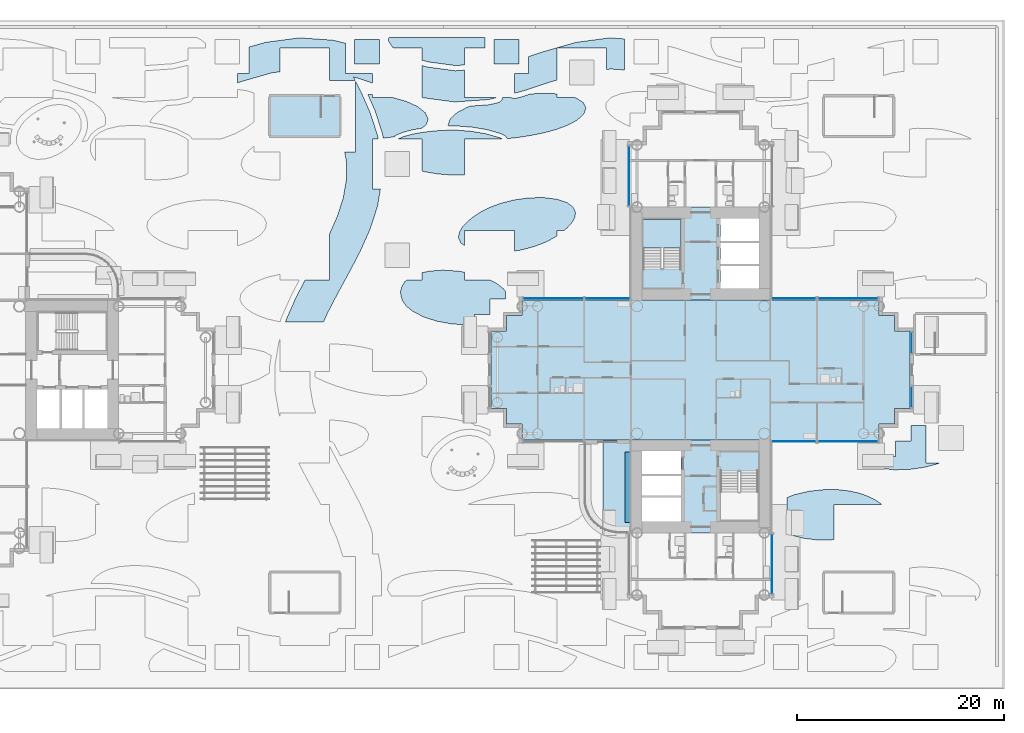
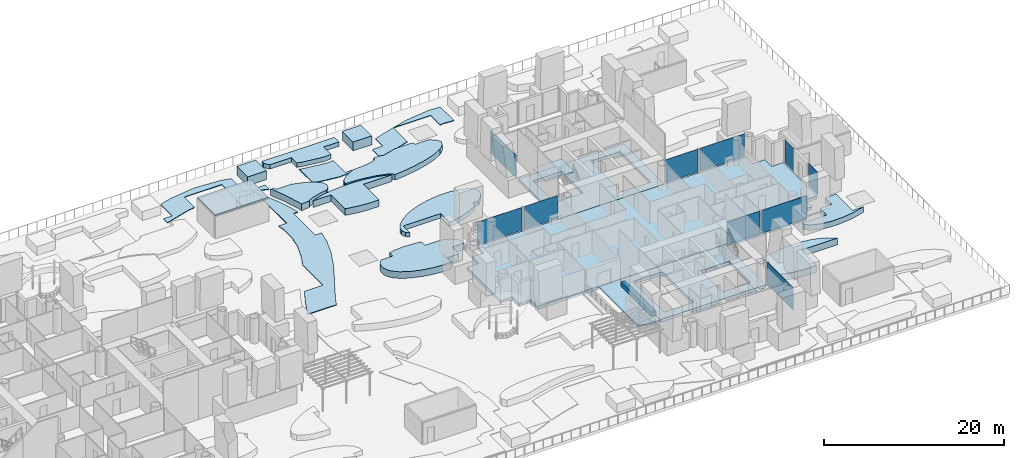
# One storey, part 21 of 40: 21 slabs, 10 plates, 11 elements without a shape of their own.
"""IFC4 building model written with IfcOpenShell, lengths in metres."""

from ifc_helpers import new_model, si_unit, direction, frame, origin, origin_2d, place, context, subcontext, project, spatial, polyline, rectangle, outline, extrude, material, layer, layer_set, type_object, element, aggregate, save


model = new_model("IFC4")

# Units and contexts
model_context = context("Model", 3, precision=1e-05, world=origin(), true_north=direction((0.0, 1.0)))
body_context = subcontext(model_context, "Body", "Model", "MODEL_VIEW")
ifc_project = project(units=[si_unit("LENGTHUNIT", "METRE"), si_unit("AREAUNIT", "SQUARE_METRE"), si_unit("VOLUMEUNIT", "CUBIC_METRE"), si_unit("PLANEANGLEUNIT", "RADIAN"), si_unit("MASSUNIT", "GRAM", prefix="KILO")], contexts=[model_context])

# Site, building, storey
site_placement = place(None, origin())
site = spatial("IfcSite", under=ifc_project, at=site_placement, CompositionType="ELEMENT")
building_placement = place(site_placement, origin())
building = spatial("IfcBuilding", under=site, at=building_placement, Name="Ipe Terrace Towers", CompositionType="ELEMENT")
storey_placement = place(building_placement, frame((0.0, 0.0, 24.5)))
storey = spatial("IfcBuildingStorey", under=building, at=storey_placement, Name="L05", CompositionType="ELEMENT", Elevation=24.5)

# Slabs
ifc_material_1 = material(Name="Concrete C30/37", Category="concrete")
ifc_layer_1 = layer(ifc_material_1, 0.199951171875)
ifc_layer_set_1 = layer_set([ifc_layer_1], Name="BALCONY SLAB 200")
slab_type_1 = type_object("IfcSlabType", Name="BALCONY SLAB 200", PredefinedType="FLOOR", material=ifc_layer_set_1)
slab_1_placement = place(storey_placement, frame((0.0, 0.0, -0.219970703125)))
element("IfcSlab", 1, at=slab_1_placement, inside=storey, type_object=slab_type_1, Name="balcony slab", PredefinedType="FLOOR", context=body_context, shape_type="SweptSolid", body=[
    extrude(outline(polyline([(26.787109375, -15.4990234375), (27.196044921875, -15.637939453125), (27.618896484375, -15.721923828125), (28.050048828125, -15.75), (29.25, -15.75), (29.25, -6.75), (26.550048828125, -6.75), (26.550048828125, -15.382080078125), (26.787109375, -15.4990234375)])), origin(), (0.0, 0.0, 1.0), 0.199951171875),
])
ifc_material_2 = material(Name="Concrete C30/37", Category="concrete")
ifc_layer_2 = layer(ifc_material_2, 0.39990234375)
ifc_layer_set_2 = layer_set([ifc_layer_2], Name="CORE FLOOR SLAB 400 C30-37")
slab_type_2 = type_object("IfcSlabType", Name="CORE FLOOR SLAB 400 C30-37", PredefinedType="FLOOR", material=ifc_layer_set_2)
slab_2_placement = place(storey_placement, frame((0.0, 0.0, -0.39990234375)))
element("IfcSlab", 2, at=slab_2_placement, inside=storey, type_object=slab_type_2, Name="Core floor T2-C1", PredefinedType="FLOOR", context=body_context, shape_type="SweptSolid", body=[
    extrude(outline(polyline([(29.25, 6.75), (29.25, 15.75), (42.75, 15.75), (42.75, 6.75), (29.25, 6.75)]), holes=[polyline([(41.64990234375, 7.85009765625), (41.64990234375, 14.64990234375), (37.89990234375, 14.64990234375), (37.89990234375, 7.85009765625), (41.64990234375, 7.85009765625)]), polyline([(30.449951171875, 9.800048828125), (34.10009765625, 9.800048828125), (34.10009765625, 14.550048828125), (30.449951171875, 14.550048828125), (30.449951171875, 9.800048828125)])]), origin(), (0.0, 0.0, 1.0), 0.39990234375),
])
slab_3_placement = place(storey_placement, frame((0.0, 0.0, -0.39990234375)))
element("IfcSlab", 3, at=slab_3_placement, inside=storey, type_object=slab_type_2, Name="Core floor T2-C2", PredefinedType="FLOOR", context=body_context, shape_type="SweptSolid", body=[
    extrude(outline(polyline([(29.25, -15.75), (29.25, -6.75), (42.75, -6.75), (42.75, -15.75), (29.25, -15.75)]), holes=[polyline([(34.10009765625, -14.64990234375), (34.10009765625, -7.85009765625), (30.35009765625, -7.85009765625), (30.35009765625, -14.64990234375), (34.10009765625, -14.64990234375)]), polyline([(41.550048828125, -9.800048828125), (37.89990234375, -9.800048828125), (37.89990234375, -14.550048828125), (41.550048828125, -14.550048828125), (41.550048828125, -9.800048828125)])]), origin(), (0.0, 0.0, 1.0), 0.39990234375),
])
ifc_material_3 = material(Name="Concrete C30/37", Category="concrete")
ifc_layer_3 = layer(ifc_material_3, 0.60009765625)
ifc_layer_set_3 = layer_set([ifc_layer_3], Name="CURVED GARDEN BED 600")
slab_type_3 = type_object("IfcSlabType", Name="CURVED GARDEN BED 600", PredefinedType="USERDEFINED", material=ifc_layer_set_3)
slab_4_placement = place(storey_placement, frame((0.0, 0.0, -0.02001953125)))
element("IfcSlab", 4, at=slab_4_placement, inside=storey, type_object=slab_type_3, Name="curved garden bed", ObjectType="PLANTER", PredefinedType="USERDEFINED", context=body_context, shape_type="SweptSolid", body=[
    extrude(outline(polyline([(12.677978515625, 13.31591796875), (12.97998046875, 13.81591796875), (13.41796875, 14.2919921875), (13.965087890625, 14.7548828125), (14.64990234375, 15.217041015625), (15.52392578125, 15.672119140625), (16.62890625, 16.092041015625), (17.951904296875, 16.429931640625), (19.408935546875, 16.632080078125), (20.860107421875, 16.656982421875), (22.138916015625, 16.493896484375), (23.10888671875, 16.1630859375), (23.698974609375, 15.714111328125), (23.9130859375, 15.2041015625), (23.822021484375, 14.68408203125), (23.52001953125, 14.18408203125), (23.08203125, 13.7080078125), (22.81103515625, 13.47900390625), (22.110107421875, 13.47900390625), (22.110107421875, 12.9580078125), (21.85009765625, 12.782958984375), (20.97607421875, 12.327880859375), (19.87109375, 11.907958984375), (18.548095703125, 11.570068359375), (17.989990234375, 11.492919921875), (17.989990234375, 13.47900390625), (13.18994140625, 13.47900390625), (13.18994140625, 11.989990234375), (12.801025390625, 12.285888671875), (12.5869140625, 12.7958984375), (12.677978515625, 13.31591796875)])), origin(), (0.0, 0.0, 1.0), 0.60009765625),
])
slab_5_placement = place(storey_placement, frame((0.0, 0.0, -0.02001953125)))
element("IfcSlab", 5, at=slab_5_placement, inside=storey, type_object=slab_type_3, Name="curved garden bed", ObjectType="PLANTER", PredefinedType="USERDEFINED", context=body_context, shape_type="SweptSolid", body=[
    extrude(outline(polyline([(15.14990234375, 31.135986328125), (13.18994140625, 31.135986328125), (13.18994140625, 29.47607421875), (13.156005859375, 29.47607421875), (12.31494140625, 29.41796875), (9.659912109375, 29.77392578125), (9.20703125, 29.903076171875), (9.159912109375, 29.9140625), (9.112060546875, 29.9208984375), (9.070068359375, 29.922119140625), (9.070068359375, 31.135986328125), (6.298095703125, 31.135986328125), (6.200927734375, 31.2109375), (5.85009765625, 31.757080078125), (5.85009765625, 32.0380859375), (5.85888671875, 32.14990234375), (15.14990234375, 32.14990234375), (15.14990234375, 31.135986328125)])), origin(), (0.0, 0.0, 1.0), 0.60009765625),
])
ifc_material_4 = material(Name="Concrete C30/37", Category="concrete")
ifc_layer_4 = layer(ifc_material_4, 0.75)
ifc_layer_set_4 = layer_set([ifc_layer_4], Name="CURVED GARDEN BED 750")
slab_type_4 = type_object("IfcSlabType", Name="CURVED GARDEN BED 750", PredefinedType="USERDEFINED", material=ifc_layer_set_4)
slab_6_placement = place(storey_placement, frame((0.0, 0.0, -0.02001953125)))
element("IfcSlab", 6, at=slab_6_placement, inside=storey, type_object=slab_type_4, Name="curved garden bed", ObjectType="PLANTER", PredefinedType="USERDEFINED", context=body_context, shape_type="SweptSolid", body=[
    extrude(outline(polyline([(56.091064453125, -9.632080078125), (54.639892578125, -9.656982421875), (53.361083984375, -9.493896484375), (52.39111328125, -9.1630859375), (51.801025390625, -8.714111328125), (51.64892578125, -8.35009765625), (54.85009765625, -8.35009765625), (54.85009765625, -6.85009765625), (56.35009765625, -6.85009765625), (56.35009765625, -5.35009765625), (57.7900390625, -5.35009765625), (57.7900390625, -8.97900390625), (59.1689453125, -8.97900390625), (58.87109375, -9.092041015625), (57.548095703125, -9.429931640625), (56.091064453125, -9.632080078125)])), origin(), (0.0, 0.0, 1.0), 0.75),
])
slab_7_placement = place(storey_placement, frame((0.0, 0.0, -0.02001953125)))
element("IfcSlab", 7, at=slab_7_placement, inside=storey, type_object=slab_type_4, Name="curved garden bed", ObjectType="PLANTER", PredefinedType="USERDEFINED", context=body_context, shape_type="SweptSolid", body=[
    extrude(outline(polyline([(24.9130859375, 25.318115234375), (24.705078125, 24.72509765625), (24.072998046875, 24.14794921875), (23.131103515625, 23.638916015625), (22.014892578125, 23.22802734375), (20.840087890625, 22.912109375), (19.666015625, 22.673095703125), (18.4970703125, 22.489013671875), (17.302978515625, 22.35009765625), (17.27392578125, 22.34912109375), (17.27099609375, 22.375), (17.262939453125, 22.4130859375), (17.25, 22.449951171875), (17.235107421875, 22.485107421875), (17.216064453125, 22.51904296875), (17.194091796875, 22.551025390625), (17.1689453125, 22.580078125), (17.14111328125, 22.60693359375), (17.111083984375, 22.631103515625), (17.0791015625, 22.652099609375), (17.0439453125, 22.669921875), (16.722900390625, 22.818115234375), (16.695068359375, 22.830078125), (16.666015625, 22.840087890625), (15.34912109375, 23.217041015625), (15.304931640625, 23.22705078125), (13.91796875, 23.4609375), (13.882080078125, 23.466064453125), (12.5458984375, 23.56689453125), (12.51611328125, 23.568115234375), (11.64306640625, 23.56689453125), (11.5869140625, 23.681884765625), (11.794921875, 24.27490234375), (12.427001953125, 24.85205078125), (13.368896484375, 25.361083984375), (13.76904296875, 25.508056640625), (15.386962890625, 25.618896484375), (15.407958984375, 25.62109375), (15.535888671875, 25.635009765625), (15.5791015625, 25.64208984375), (15.705078125, 25.6669921875), (15.72607421875, 25.672119140625), (16.452880859375, 25.85009765625), (16.4990234375, 25.864013671875), (16.5439453125, 25.882080078125), (16.5869140625, 25.904052734375), (16.626953125, 25.930908203125), (16.6650390625, 25.9609375), (16.699951171875, 25.9951171875), (16.73095703125, 26.031005859375), (16.758056640625, 26.071044921875), (16.781982421875, 26.113037109375), (16.801025390625, 26.157958984375), (16.81591796875, 26.2041015625), (16.826904296875, 26.2509765625), (16.83203125, 26.299072265625), (16.8330078125, 26.326904296875), (16.833984375, 26.326904296875), (16.885986328125, 26.3359375), (17.698974609375, 26.3359375), (17.721923828125, 26.319091796875), (17.76611328125, 26.2939453125), (17.81201171875, 26.27392578125), (17.860107421875, 26.258056640625), (17.908935546875, 26.248046875), (17.958984375, 26.241943359375), (18.009033203125, 26.241943359375), (18.06005859375, 26.24609375), (18.10888671875, 26.256103515625), (18.72607421875, 26.406982421875), (18.743896484375, 26.412109375), (18.85498046875, 26.443115234375), (18.873046875, 26.448974609375), (19.554931640625, 26.672119140625), (20.43798828125, 26.72900390625), (21.70703125, 26.717041015625), (22.110107421875, 26.672119140625), (22.110107421875, 26.3359375), (23.7958984375, 26.3359375), (23.949951171875, 26.29296875), (24.64990234375, 25.860107421875), (24.9130859375, 25.318115234375)])), origin(), (0.0, 0.0, 1.0), 0.75),
])
ifc_material_5 = material(Name="Concrete C30/37", Category="concrete")
ifc_layer_5 = layer(ifc_material_5, 0.89990234375)
ifc_layer_set_5 = layer_set([ifc_layer_5], Name="CURVED GARDEN BED 900")
slab_type_5 = type_object("IfcSlabType", Name="CURVED GARDEN BED 900", PredefinedType="USERDEFINED", material=ifc_layer_set_5)
slab_8_placement = place(storey_placement, frame((0.0, 0.0, -0.02001953125)))
element("IfcSlab", 8, at=slab_8_placement, inside=storey, type_object=slab_type_5, Name="curved garden bed", ObjectType="PLANTER", PredefinedType="USERDEFINED", context=body_context, shape_type="SweptSolid", body=[
    extrude(outline(polyline([(47.950927734375, -11.568115234375), (49.318115234375, -11.575927734375), (50.492919921875, -11.716064453125), (51.451904296875, -11.947021484375), (52.22607421875, -12.22998046875), (52.867919921875, -12.548095703125), (53.405029296875, -12.904052734375), (53.507080078125, -13.007080078125), (48.8701171875, -13.007080078125), (48.8701171875, -16.39697265625), (48.549072265625, -16.431884765625), (47.181884765625, -16.424072265625), (46.007080078125, -16.283935546875), (45.048095703125, -16.052978515625), (44.35009765625, -15.798095703125), (44.35009765625, -12.3359375), (45.074951171875, -12.052978515625), (46.488037109375, -11.72607421875), (47.950927734375, -11.568115234375)])), origin(), (0.0, 0.0, 1.0), 0.89990234375),
])
slab_9_placement = place(storey_placement, frame((0.0, 0.0, -0.02001953125)))
element("IfcSlab", 9, at=slab_9_placement, inside=storey, type_object=slab_type_5, Name="curved garden bed", ObjectType="PLANTER", PredefinedType="USERDEFINED", context=body_context, shape_type="SweptSolid", body=[
    extrude(outline(polyline([(17.14990234375, 7.555908203125), (17.14990234375, 6.85009765625), (15.64990234375, 6.85009765625), (15.64990234375, 5.35009765625), (14.14990234375, 5.35009765625), (14.14990234375, 4.406005859375), (13.4150390625, 4.35400390625), (11.93603515625, 4.443115234375), (10.47802734375, 4.714111328125), (9.199951171875, 5.1298828125), (8.2109375, 5.635009765625), (7.5458984375, 6.1708984375), (7.1708984375, 6.693115234375), (7.014892578125, 7.18310546875), (7.009033203125, 7.64306640625), (7.12890625, 8.089111328125), (7.40087890625, 8.52490234375), (7.5810546875, 8.677978515625), (9.070068359375, 8.677978515625), (9.070068359375, 9.39404296875), (9.7451171875, 9.551025390625), (11.0849609375, 9.64599609375), (12.56396484375, 9.556884765625), (13.18994140625, 9.44091796875), (13.18994140625, 8.677978515625), (15.676025390625, 8.677978515625), (16.2890625, 8.364990234375), (16.9541015625, 7.8291015625), (17.14990234375, 7.555908203125)])), origin(), (0.0, 0.0, 1.0), 0.89990234375),
])
slab_10_placement = place(storey_placement, frame((0.0, 0.0, -0.02001953125)))
element("IfcSlab", 10, at=slab_10_placement, inside=storey, type_object=slab_type_5, Name="curved garden bed", ObjectType="PLANTER", PredefinedType="USERDEFINED", context=body_context, shape_type="SweptSolid", body=[
    extrude(outline(polyline([(9.166015625, 22.97802734375), (10.18994140625, 23.096923828125), (11.2958984375, 23.1669921875), (12.51611328125, 23.16796875), (13.85107421875, 23.06689453125), (15.239013671875, 22.8330078125), (16.555908203125, 22.455078125), (16.876953125, 22.306884765625), (13.18994140625, 22.306884765625), (13.18994140625, 18.8330078125), (11.98388671875, 18.83203125), (10.64892578125, 18.93310546875), (9.260986328125, 19.1669921875), (9.070068359375, 19.221923828125), (9.070068359375, 22.306884765625), (6.716064453125, 22.306884765625), (7.2880859375, 22.56103515625), (8.194091796875, 22.805908203125), (9.166015625, 22.97802734375)])), origin(), (0.0, 0.0, 1.0), 0.89990234375),
])
slab_11_placement = place(storey_placement, frame((0.0, 0.0, -0.02001953125)))
element("IfcSlab", 11, at=slab_11_placement, inside=storey, type_object=slab_type_5, Name="curved garden bed", ObjectType="PLANTER", PredefinedType="USERDEFINED", context=body_context, shape_type="SweptSolid", body=[
    extrude(outline(polyline([(8.64794921875, 25.451904296875), (9.376953125, 24.8701171875), (9.662109375, 24.27587890625), (9.506103515625, 23.73193359375), (9.0849609375, 23.3701171875), (8.1240234375, 23.198974609375), (8.090087890625, 23.19189453125), (7.18310546875, 22.947021484375), (7.154052734375, 22.93798828125), (7.125, 22.926025390625), (6.553955078125, 22.673095703125), (6.51904296875, 22.655029296875), (6.486083984375, 22.634033203125), (6.455078125, 22.610107421875), (6.427001953125, 22.583984375), (6.402099609375, 22.553955078125), (6.385009765625, 22.531005859375), (6.333984375, 22.52197265625), (5.323974609375, 22.404052734375), (5.2880859375, 22.616943359375), (5.280029296875, 22.652099609375), (5.222900390625, 22.888916015625), (5.212890625, 22.924072265625), (4.569091796875, 24.924072265625), (4.56005859375, 24.948974609375), (4.49609375, 25.116943359375), (4.486083984375, 25.14111328125), (3.820068359375, 26.64501953125), (4.27001953125, 26.611083984375), (4.27001953125, 26.3359375), (6.22412109375, 26.3359375), (6.239013671875, 26.3330078125), (7.555908203125, 25.955078125), (8.64794921875, 25.451904296875)])), origin(), (0.0, 0.0, 1.0), 0.89990234375),
])

# Stair, slab
ifc_material_6 = material(Name="Concrete C30/37", Category="concrete")
stair_type = type_object("IfcStairType", Name="Protected exit stair", PredefinedType="HALF_TURN_STAIR", material=ifc_material_6)
stair_placement = place(storey_placement, origin())
stair = element("IfcStair", 12, at=stair_placement, inside=storey, type_object=stair_type, Name="L05 Exit stair T2-C1", PredefinedType="HALF_TURN_STAIR")
ifc_material_7 = material(Name="Concrete C30/37", Category="concrete")
ifc_layer_6 = layer(ifc_material_7, 0.199951171875)
ifc_layer_set_6 = layer_set([ifc_layer_6], Name="Exit stair landing 200")
slab_type_6 = type_object("IfcSlabType", Name="Exit stair landing 200", PredefinedType="LANDING", material=ifc_layer_set_6)
slab_12_placement = place(storey_placement, frame((0.0, 0.0, 1.5)))
slab_12 = element("IfcSlab", 13, at=slab_12_placement, type_object=slab_type_6, Name="T2-ST1 landing 1", PredefinedType="LANDING", context=body_context, shape_type="SweptSolid", body=[
    extrude(outline(polyline([(34.10009765625, 11.780029296875), (34.10009765625, 14.550048828125), (30.449951171875, 14.550048828125), (30.449951171875, 11.780029296875), (34.10009765625, 11.780029296875)])), origin(), (0.0, 0.0, 1.0), 0.199951171875),
])
aggregate(stair, [slab_12])

# Slabs
ifc_material_8 = material(Name="Concrete C40/50", Category="concrete")
ifc_layer_7 = layer(ifc_material_8, 0.39990234375)
ifc_layer_set_7 = layer_set([ifc_layer_7], Name="FLAT PLATE SLAB 400 C40-50")
slab_type_7 = type_object("IfcSlabType", Name="FLAT PLATE SLAB 400 C40-50", PredefinedType="FLOOR", material=ifc_layer_set_7)
slab_13_placement = place(storey_placement, frame((0.0, 0.0, -0.39990234375)))
element("IfcSlab", 14, at=slab_13_placement, inside=storey, type_object=slab_type_7, Name="Slab T2-FS-Z11", PredefinedType="FLOOR", context=body_context, shape_type="SweptSolid", body=[
    extrude(outline(polyline([(53.25, 5.25), (54.75, 5.25), (54.75, 3.75), (56.25, 3.75), (56.25, -3.75), (54.75, -3.75), (54.75, -5.25), (53.25, -5.25), (53.25, -6.75), (42.75, -6.75), (29.25, -6.75), (18.75, -6.75), (18.75, -5.25), (17.25, -5.25), (17.25, -3.75), (15.75, -3.75), (15.75, 3.75), (17.25, 3.75), (17.25, 5.25), (18.75, 5.25), (18.75, 6.75), (29.25, 6.75), (42.75, 6.75), (53.25, 6.75), (53.25, 5.25)])), origin(), (0.0, 0.0, 1.0), 0.39990234375),
])
ifc_material_9 = material(Name="Concrete C30/37 paving", Category="concrete")
ifc_layer_8 = layer(ifc_material_9, 0.080078125)
ifc_layer_set_8 = layer_set([ifc_layer_8], Name="GARDEN PAVING 80")
slab_type_8 = type_object("IfcSlabType", Name="GARDEN PAVING 80", PredefinedType="USERDEFINED", material=ifc_layer_set_8)
slab_14_placement = place(storey_placement, frame((0.0, 0.0, -0.02001953125)))
element("IfcSlab", 15, at=slab_14_placement, inside=storey, type_object=slab_type_8, Name="garden paving path", ObjectType="PAVING", PredefinedType="USERDEFINED", context=body_context, shape_type="SweptSolid", body=[
    extrude(outline(polyline([(-4.093017578125, 4.77099609375), (-4.029052734375, 4.93798828125), (-3.14306640625, 6.93798828125), (-3.096923828125, 7.034912109375), (-2.240966796875, 8.677978515625), (0.14990234375, 8.677978515625), (0.14990234375, 13.198974609375), (0.884033203125, 14.85595703125), (1.462890625, 16.654052734375), (1.757080078125, 18.39306640625), (1.757080078125, 20.10693359375), (1.596923828125, 21.050048828125), (2.64990234375, 21.050048828125), (2.64990234375, 27.89306640625), (3.096923828125, 27.034912109375), (3.14306640625, 26.93798828125), (4.029052734375, 24.93798828125), (4.093017578125, 24.77099609375), (4.737060546875, 22.77099609375), (4.794921875, 22.533935546875), (4.8330078125, 22.306884765625), (4.27001953125, 22.306884765625), (4.27001953125, 17.507080078125), (5.054931640625, 17.507080078125), (4.794921875, 15.966064453125), (4.737060546875, 15.72900390625), (4.093017578125, 13.72900390625), (4.029052734375, 13.56201171875), (3.14306640625, 11.56201171875), (3.096923828125, 11.465087890625), (2.054931640625, 9.465087890625), (2.0390625, 9.43408203125), (0.951904296875, 7.448974609375), (-0.055908203125, 5.511962890625), (-0.43798828125, 4.64990234375), (-4.132080078125, 4.64990234375), (-4.093017578125, 4.77099609375)])), origin(), (0.0, 0.0, 1.0), 0.080078125),
])
slab_15_placement = place(storey_placement, frame((0.0, 0.0, -0.02001953125)))
element("IfcSlab", 16, at=slab_15_placement, inside=storey, type_object=slab_type_8, Name="garden paving path", ObjectType="PAVING", PredefinedType="USERDEFINED", context=body_context, shape_type="SweptSolid", body=[
    extrude(outline(polyline([(-5.443115234375, 28.717041015625), (-8.31005859375, 27.89794921875), (-8.77001953125, 27.748046875), (-8.77001953125, 28.64990234375), (-7.64990234375, 28.64990234375), (-7.64990234375, 31.20703125), (-6.162109375, 31.631103515625), (-5.948974609375, 31.676025390625), (-2.948974609375, 32.077880859375), (-2.799072265625, 32.090087890625), (-2.64697265625, 32.087890625), (0.35302734375, 31.882080078125), (0.48095703125, 31.867919921875), (0.60693359375, 31.843017578125), (1.64990234375, 31.5869140625), (1.64990234375, 28.64990234375), (4.27001953125, 28.64990234375), (4.27001953125, 27.738037109375), (2.8369140625, 28.2080078125), (2.43505859375, 28.305908203125), (2.593994140625, 28.0), (0.14990234375, 28.0), (0.14990234375, 31.135986328125), (-4.64990234375, 31.135986328125), (-4.64990234375, 28.822998046875), (-5.443115234375, 28.717041015625)])), origin(), (0.0, 0.0, 1.0), 0.080078125),
])
slab_16_placement = place(storey_placement, frame((0.0, 0.0, -0.02001953125)))
element("IfcSlab", 17, at=slab_16_placement, inside=storey, type_object=slab_type_8, Name="garden paving path", ObjectType="PAVING", PredefinedType="USERDEFINED", context=body_context, shape_type="SweptSolid", body=[
    extrude(outline(polyline([(9.556884765625, 29.282958984375), (12.299072265625, 28.916015625), (13.18994140625, 28.97705078125), (13.18994140625, 26.3359375), (16.333984375, 26.3359375), (15.60693359375, 26.156982421875), (15.48095703125, 26.132080078125), (15.35302734375, 26.117919921875), (12.35302734375, 25.912109375), (12.200927734375, 25.909912109375), (12.051025390625, 25.922119140625), (9.051025390625, 26.323974609375), (8.9970703125, 26.3359375), (9.070068359375, 26.3359375), (9.070068359375, 29.422119140625), (9.556884765625, 29.282958984375)])), origin(), (0.0, 0.0, 1.0), 0.080078125),
])
slab_17_placement = place(storey_placement, frame((0.0, 0.0, -0.02001953125)))
element("IfcSlab", 18, at=slab_17_placement, inside=storey, type_object=slab_type_8, Name="garden paving path", ObjectType="PAVING", PredefinedType="USERDEFINED", context=body_context, shape_type="SweptSolid", body=[
    extrude(outline(polyline([(20.782958984375, 30.758056640625), (20.837890625, 30.77490234375), (23.837890625, 31.631103515625), (24.051025390625, 31.676025390625), (27.051025390625, 32.077880859375), (27.200927734375, 32.090087890625), (27.35302734375, 32.087890625), (28.64990234375, 31.9990234375), (28.64990234375, 28.991943359375), (27.299072265625, 29.083984375), (26.909912109375, 29.031982421875), (26.909912109375, 31.135986328125), (22.110107421875, 31.135986328125), (22.110107421875, 28.01806640625), (21.68994140625, 27.89794921875), (18.717041015625, 26.924072265625), (18.60693359375, 26.89208984375), (17.989990234375, 26.740966796875), (17.989990234375, 28.64990234375), (19.35009765625, 28.64990234375), (19.35009765625, 30.2880859375), (20.782958984375, 30.758056640625)])), origin(), (0.0, 0.0, 1.0), 0.080078125),
])
ifc_material_10 = material(Name="Concrete C30/37", Category="concrete")
ifc_layer_9 = layer(ifc_material_10, 0.60009765625)
ifc_layer_set_9 = layer_set([ifc_layer_9], Name="PLANTER TROUGH 550 x 600")
slab_type_9 = type_object("IfcSlabType", Name="PLANTER TROUGH 550 x 600", PredefinedType="USERDEFINED", material=ifc_layer_set_9)
slab_18_placement = place(storey_placement, frame((0.0, 0.0, -0.02001953125)))
element("IfcSlab", 19, at=slab_18_placement, inside=storey, type_object=slab_type_9, Name="planter", ObjectType="PLANTER", PredefinedType="USERDEFINED", context=body_context, shape_type="SweptSolid", body=[
    extrude(outline(polyline([(29.25, -7.949951171875), (28.699951171875, -7.949951171875), (28.699951171875, -14.75), (29.25, -14.75), (29.25, -7.949951171875)])), origin(), (0.0, 0.0, 1.0), 0.60009765625),
])
ifc_material_11 = material(Name="Concrete C30/37", Category="concrete")
ifc_layer_10 = layer(ifc_material_11, 0.199951171875)
ifc_layer_set_10 = layer_set([ifc_layer_10], Name="STAIR HEAD ROOF SLAB 200 C30-37")
slab_type_10 = type_object("IfcSlabType", Name="STAIR HEAD ROOF SLAB 200 C30-37", PredefinedType="ROOF", material=ifc_layer_set_10)
slab_19_placement = place(storey_placement, frame((0.0, 0.0, 3.0)))
element("IfcSlab", 20, at=slab_19_placement, inside=storey, type_object=slab_type_10, Name="Stair head roof PS2", PredefinedType="ROOF", context=body_context, shape_type="SweptSolid", body=[
    extrude(outline(polyline([(-5.64990234375, 22.550048828125), (1.14990234375, 22.550048828125), (1.14990234375, 26.5), (-5.64990234375, 26.5), (-5.64990234375, 22.550048828125)])), origin(), (0.0, 0.0, 1.0), 0.199951171875),
])

# Curtain wall, plate
ifc_material_12 = material(Name="Aluminium alloy 6063-T6", Category="aluminium")
ifc_layer_11 = layer(ifc_material_12, 0.320068359375)
ifc_layer_set_11 = layer_set([ifc_layer_11], Name="TOWER UNITISED CURTAIN WALL")
curtain_wall_type = type_object("IfcCurtainWallType", Name="TOWER UNITISED CURTAIN WALL", PredefinedType="NOTDEFINED", material=ifc_layer_set_11)
curtain_wall_1_placement = place(storey_placement, origin())
curtain_wall_1 = element("IfcCurtainWall", 21, at=curtain_wall_1_placement, inside=storey, type_object=curtain_wall_type, Name="T2-CW-L05-04a curtain wall", PredefinedType="NOTDEFINED")
ifc_material_13 = material(Name="Glass, clear laminated", Category="glass")
ifc_layer_12 = layer(ifc_material_13, 0.031982421875)
ifc_layer_set_12 = layer_set([ifc_layer_12], Name="TOWER UNITISED GLASS PANEL 32")
plate_type = type_object("IfcPlateType", Name="TOWER UNITISED GLASS PANEL 32", PredefinedType="CURTAIN_PANEL", material=ifc_layer_set_12)
plate_1_placement = place(storey_placement, frame((42.909912109375, -18.75048828125, 0.0), z_axis=(0.0, 0.0, 1.0), x_axis=(0.0, 1.0, 0.0)))
plate_1 = element("IfcPlate", 22, at=plate_1_placement, type_object=plate_type, Name="T2-CW-L05-04a panel 1", PredefinedType="CURTAIN_PANEL", context=body_context, shape_type="SweptSolid", body=[
    extrude(rectangle(XDim=5.759033203125, YDim=0.031982421875, at=origin_2d()), origin(), (0.0, 0.0, 1.0), 3.10009765625),
])
aggregate(curtain_wall_1, [plate_1])

curtain_wall_2_placement = place(storey_placement, origin())
curtain_wall_2 = element("IfcCurtainWall", 23, at=curtain_wall_2_placement, inside=storey, type_object=curtain_wall_type, Name="T2-CW-L05-06a curtain wall", PredefinedType="NOTDEFINED")
plate_2_placement = place(storey_placement, frame((45.0, -6.909912109375, 0.0), z_axis=(0.0, 0.0, 1.0), x_axis=(1.0, 0.0, 0.0)))
plate_2 = element("IfcPlate", 24, at=plate_2_placement, type_object=plate_type, Name="T2-CW-L05-06a panel 1", PredefinedType="CURTAIN_PANEL", context=body_context, shape_type="SweptSolid", body=[
    extrude(rectangle(XDim=4.260009765625, YDim=0.031982421875, at=origin_2d()), origin(), (0.0, 0.0, 1.0), 3.10009765625),
])
aggregate(curtain_wall_2, [plate_2])

curtain_wall_3_placement = place(storey_placement, origin())
curtain_wall_3 = element("IfcCurtainWall", 25, at=curtain_wall_3_placement, inside=storey, type_object=curtain_wall_type, Name="T2-CW-L05-07a curtain wall", PredefinedType="NOTDEFINED")
plate_3_placement = place(storey_placement, frame((50.25, -6.909912109375, 0.0), z_axis=(0.0, 0.0, 1.0), x_axis=(1.0, 0.0, 0.0)))
plate_3 = element("IfcPlate", 26, at=plate_3_placement, type_object=plate_type, Name="T2-CW-L05-07a panel 1", PredefinedType="CURTAIN_PANEL", context=body_context, shape_type="SweptSolid", body=[
    extrude(rectangle(XDim=5.760009765625, YDim=0.031982421875, at=origin_2d()), origin(), (0.0, 0.0, 1.0), 3.10009765625),
])
aggregate(curtain_wall_3, [plate_3])

curtain_wall_4_placement = place(storey_placement, origin())
curtain_wall_4 = element("IfcCurtainWall", 27, at=curtain_wall_4_placement, inside=storey, type_object=curtain_wall_type, Name="T2-CW-L05-12a curtain wall", PredefinedType="NOTDEFINED")
plate_4_placement = place(storey_placement, frame((56.409912109375, -2.625, 0.0), z_axis=(0.0, 0.0, 1.0), x_axis=(0.0, 1.0, 0.0)))
plate_4 = element("IfcPlate", 28, at=plate_4_placement, type_object=plate_type, Name="T2-CW-L05-12a panel 1", PredefinedType="CURTAIN_PANEL", context=body_context, shape_type="SweptSolid", body=[
    extrude(rectangle(XDim=2.010009765625, YDim=0.031982421875, at=origin_2d()), origin(), (0.0, 0.0, 1.0), 3.10009765625),
])
aggregate(curtain_wall_4, [plate_4])

curtain_wall_5_placement = place(storey_placement, origin())
curtain_wall_5 = element("IfcCurtainWall", 29, at=curtain_wall_5_placement, inside=storey, type_object=curtain_wall_type, Name="T2-CW-L05-12c curtain wall", PredefinedType="NOTDEFINED")
plate_5_placement = place(storey_placement, frame((56.409912109375, 2.625, 0.0), z_axis=(0.0, 0.0, 1.0), x_axis=(0.0, 1.0, 0.0)))
plate_5 = element("IfcPlate", 30, at=plate_5_placement, type_object=plate_type, Name="T2-CW-L05-12c panel 1", PredefinedType="CURTAIN_PANEL", context=body_context, shape_type="SweptSolid", body=[
    extrude(rectangle(XDim=2.010009765625, YDim=0.031982421875, at=origin_2d()), origin(), (0.0, 0.0, 1.0), 3.10009765625),
])
aggregate(curtain_wall_5, [plate_5])

curtain_wall_6_placement = place(storey_placement, origin())
curtain_wall_6 = element("IfcCurtainWall", 31, at=curtain_wall_6_placement, inside=storey, type_object=curtain_wall_type, Name="T2-CW-L05-17a curtain wall", PredefinedType="NOTDEFINED")
plate_6_placement = place(storey_placement, frame((50.25, 6.909912109375, 0.0), z_axis=(0.0, 0.0, 1.0), x_axis=(-1.0, 0.0, 0.0)))
plate_6 = element("IfcPlate", 32, at=plate_6_placement, type_object=plate_type, Name="T2-CW-L05-17a panel 1", PredefinedType="CURTAIN_PANEL", context=body_context, shape_type="SweptSolid", body=[
    extrude(rectangle(XDim=5.760009765625, YDim=0.031982421875, at=origin_2d()), origin(), (0.0, 0.0, 1.0), 3.10009765625),
])
aggregate(curtain_wall_6, [plate_6])

curtain_wall_7_placement = place(storey_placement, origin())
curtain_wall_7 = element("IfcCurtainWall", 33, at=curtain_wall_7_placement, inside=storey, type_object=curtain_wall_type, Name="T2-CW-L05-18a curtain wall", PredefinedType="NOTDEFINED")
plate_7_placement = place(storey_placement, frame((45.0, 6.909912109375, 0.0), z_axis=(0.0, 0.0, 1.0), x_axis=(-1.0, 0.0, 0.0)))
plate_7 = element("IfcPlate", 34, at=plate_7_placement, type_object=plate_type, Name="T2-CW-L05-18a panel 1", PredefinedType="CURTAIN_PANEL", context=body_context, shape_type="SweptSolid", body=[
    extrude(rectangle(XDim=4.260009765625, YDim=0.031982421875, at=origin_2d()), origin(), (0.0, 0.0, 1.0), 3.10009765625),
])
aggregate(curtain_wall_7, [plate_7])

curtain_wall_8_placement = place(storey_placement, origin())
curtain_wall_8 = element("IfcCurtainWall", 35, at=curtain_wall_8_placement, inside=storey, type_object=curtain_wall_type, Name="T2-CW-L05-30a curtain wall", PredefinedType="NOTDEFINED")
plate_8_placement = place(storey_placement, frame((29.090087890625, 18.75048828125, 0.0), z_axis=(0.0, 0.0, 1.0), x_axis=(0.0, -1.0, 0.0)))
plate_8 = element("IfcPlate", 36, at=plate_8_placement, type_object=plate_type, Name="T2-CW-L05-30a panel 1", PredefinedType="CURTAIN_PANEL", context=body_context, shape_type="SweptSolid", body=[
    extrude(rectangle(XDim=5.759033203125, YDim=0.031982421875, at=origin_2d()), origin(), (0.0, 0.0, 1.0), 3.10009765625),
])
aggregate(curtain_wall_8, [plate_8])

curtain_wall_9_placement = place(storey_placement, origin())
curtain_wall_9 = element("IfcCurtainWall", 37, at=curtain_wall_9_placement, inside=storey, type_object=curtain_wall_type, Name="T2-CW-L05-32a curtain wall", PredefinedType="NOTDEFINED")
plate_9_placement = place(storey_placement, frame((27.0, 6.909912109375, 0.0), z_axis=(0.0, 0.0, 1.0), x_axis=(-1.0, 0.0, 0.0)))
plate_9 = element("IfcPlate", 38, at=plate_9_placement, type_object=plate_type, Name="T2-CW-L05-32a panel 1", PredefinedType="CURTAIN_PANEL", context=body_context, shape_type="SweptSolid", body=[
    extrude(rectangle(XDim=4.260009765625, YDim=0.031982421875, at=origin_2d()), origin(), (0.0, 0.0, 1.0), 3.10009765625),
])
aggregate(curtain_wall_9, [plate_9])

curtain_wall_10_placement = place(storey_placement, origin())
curtain_wall_10 = element("IfcCurtainWall", 39, at=curtain_wall_10_placement, inside=storey, type_object=curtain_wall_type, Name="T2-CW-L05-33a curtain wall", PredefinedType="NOTDEFINED")
plate_10_placement = place(storey_placement, frame((21.75, 6.909912109375, 0.0), z_axis=(0.0, 0.0, 1.0), x_axis=(-1.0, 0.0, 0.0)))
plate_10 = element("IfcPlate", 40, at=plate_10_placement, type_object=plate_type, Name="T2-CW-L05-33a panel 1", PredefinedType="CURTAIN_PANEL", context=body_context, shape_type="SweptSolid", body=[
    extrude(rectangle(XDim=5.760009765625, YDim=0.031982421875, at=origin_2d()), origin(), (0.0, 0.0, 1.0), 3.10009765625),
])
aggregate(curtain_wall_10, [plate_10])

# Slabs
ifc_material_14 = material(Name="Concrete C30/37", Category="concrete")
ifc_layer_13 = layer(ifc_material_14, 1.199951171875)
ifc_layer_set_13 = layer_set([ifc_layer_13], Name="TREE PIT PLANTER 2400 x 2400 x 1200")
slab_type_11 = type_object("IfcSlabType", Name="TREE PIT PLANTER 2400 x 2400 x 1200", PredefinedType="USERDEFINED", material=ifc_layer_set_13)
slab_20_placement = place(storey_placement, origin())
element("IfcSlab", 41, at=slab_20_placement, inside=storey, type_object=slab_type_11, Name="planter", ObjectType="PLANTER", PredefinedType="USERDEFINED", context=body_context, shape_type="SweptSolid", body=[
    extrude(outline(polyline([(2.550048828125, 29.550048828125), (4.949951171875, 29.550048828125), (4.949951171875, 31.949951171875), (2.550048828125, 31.949951171875), (2.550048828125, 29.550048828125)])), origin(), (0.0, 0.0, 1.0), 1.199951171875),
])
slab_21_placement = place(storey_placement, origin())
element("IfcSlab", 42, at=slab_21_placement, inside=storey, type_object=slab_type_11, Name="planter", ObjectType="PLANTER", PredefinedType="USERDEFINED", context=body_context, shape_type="SweptSolid", body=[
    extrude(outline(polyline([(16.050048828125, 29.550048828125), (18.449951171875, 29.550048828125), (18.449951171875, 31.949951171875), (16.050048828125, 31.949951171875), (16.050048828125, 29.550048828125)])), origin(), (0.0, 0.0, 1.0), 1.199951171875),
])

save(model, "model.ifc")
